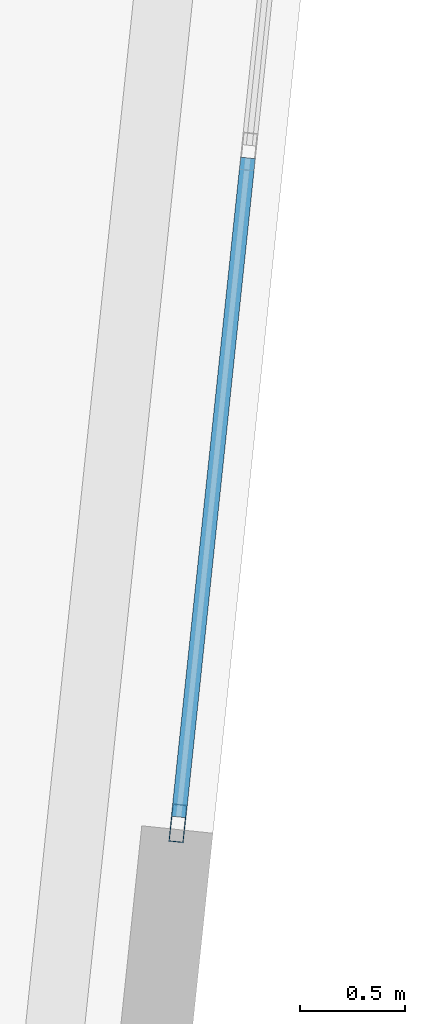
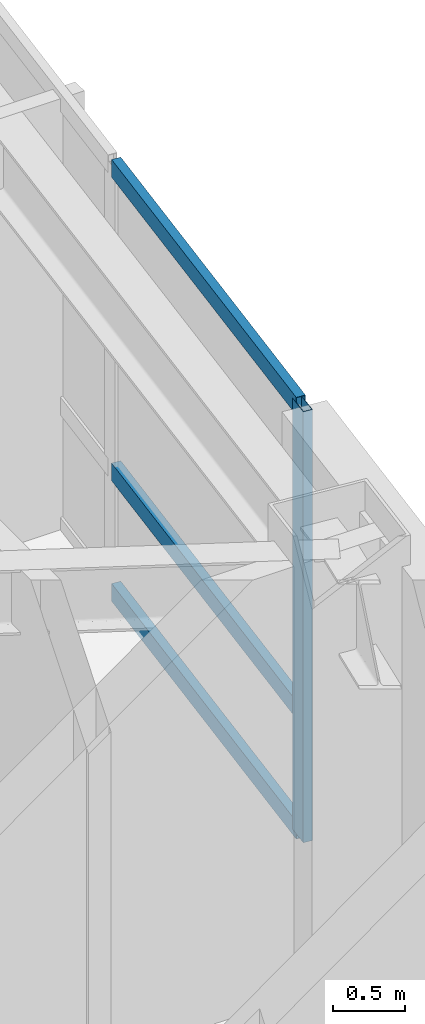
# One storey, part 8 of 23: 4 members, 1 element without a shape of its own.
"""IFC4 building model written with IfcOpenShell, lengths in metres."""

from ifc_helpers import new_model, si_unit, direction, frame, origin, origin_2d, place, context, subcontext, project, spatial, hollow_rectangle, extrude, material, layer, layer_set, material_profile, profile_set, type_object, element, aggregate, save


model = new_model("IFC4")

# Units and contexts
model_context = context("Model", 3, precision=1e-05, world=origin(), true_north=direction((0.0, 1.0)))
body_context = subcontext(model_context, "Body", "Model", "MODEL_VIEW")
ifc_project = project(units=[si_unit("LENGTHUNIT", "METRE"), si_unit("AREAUNIT", "SQUARE_METRE"), si_unit("VOLUMEUNIT", "CUBIC_METRE"), si_unit("PLANEANGLEUNIT", "RADIAN"), si_unit("MASSUNIT", "GRAM", prefix="KILO")], contexts=[model_context])

# Site, building, storey
site_placement = place(None, origin())
site = spatial("IfcSite", under=ifc_project, at=site_placement, CompositionType="ELEMENT")
building_placement = place(site_placement, origin())
building = spatial("IfcBuilding", under=site, at=building_placement, Name="Voryun Gate Residences", CompositionType="ELEMENT")
storey_placement = place(building_placement, frame((0.0, 0.0, 275.60009765625)))
storey = spatial("IfcBuildingStorey", under=building, at=storey_placement, Name="L68", CompositionType="ELEMENT", Elevation=275.60009765625)

# Curtain wall, members
ifc_material_1 = material(Name="Anodised aluminium", Category="aluminium")
ifc_layer = layer(ifc_material_1, 0.18994140625, Name="CW_SYS_RES_B_DARK_GLASS")
ifc_layer_set = layer_set([ifc_layer], Name="Anodised aluminium")
curtain_wall_type = type_object("IfcCurtainWallType", Name="CW_SYS_RES_B_DARK_GLASS", PredefinedType="NOTDEFINED", material=ifc_layer_set)
curtain_wall_placement = place(storey_placement, origin())
curtain_wall = element("IfcCurtainWall", 1, at=curtain_wall_placement, inside=storey, type_object=curtain_wall_type, Name="Curtain wall CWT-L68-16", PredefinedType="NOTDEFINED")
ifc_material_2 = material(Name="Anodised aluminium", Category="aluminium")
ifc_material_profile_1 = material_profile(ifc_material_2, hollow_rectangle(XDim=0.070068359375, YDim=0.179931640625, WallThickness=0.00390625, at=origin_2d()), Name="ALU-MULL-180x70x4")
ifc_profile_set_1 = profile_set([ifc_material_profile_1], Name="Anodised aluminium")
member_type_1 = type_object("IfcMemberType", Name="CW_MULL_RES", PredefinedType="MULLION", material=ifc_profile_set_1)
member_1_placement = place(storey_placement, frame((23.578125, -7.606689453125, 0.0), z_axis=(0.0, 0.0, 1.0), x_axis=(0.994521117907, -0.10453586005, 0.0)))
member_1 = element("IfcMember", 2, at=member_1_placement, type_object=member_type_1, Name="CW4 mullion 4", PredefinedType="MULLION", context=body_context, shape_type="SweptSolid", body=[
    extrude(hollow_rectangle(XDim=0.070068359375, YDim=0.179931640625, WallThickness=0.00390625, at=origin_2d()), origin(), (0.0, 0.0, 1.0), 3.64990234375),
])
ifc_material_3 = material(Name="Anodised aluminium", Category="aluminium")
ifc_material_profile_2 = material_profile(ifc_material_3, hollow_rectangle(XDim=0.070068359375, YDim=0.14990234375, WallThickness=0.00390625, at=origin_2d()), Name="ALU-TRAN-150x70x4")
ifc_profile_set_2 = profile_set([ifc_material_profile_2], Name="Anodised aluminium")
member_type_2 = type_object("IfcMemberType", Name="CW_TRAN_RES", PredefinedType="USERDEFINED", material=ifc_profile_set_2)
member_2_placement = place(storey_placement, frame((23.91064453125, -4.445068359375, 0.02978515625), z_axis=(-0.104583892707, -0.994516067938, 0.0), x_axis=(0.994516067938, -0.104583892707, 0.0)))
member_2 = element("IfcMember", 3, at=member_2_placement, type_object=member_type_2, Name="CW4 transom 3.1", ObjectType="TRANSOM", PredefinedType="USERDEFINED", context=body_context, shape_type="SweptSolid", body=[
    extrude(hollow_rectangle(XDim=0.070068359375, YDim=0.14990234375, WallThickness=0.00390625, at=origin_2d()), origin(), (0.0, 0.0, 1.0), 3.149169921875),
])
member_3_placement = place(storey_placement, frame((23.91064453125, -4.445068359375, 1.0498046875), z_axis=(-0.104583892707, -0.994516067938, 0.0), x_axis=(0.994516067938, -0.104583892707, 0.0)))
member_3 = element("IfcMember", 4, at=member_3_placement, type_object=member_type_2, Name="CW4 transom 3.2", ObjectType="TRANSOM", PredefinedType="USERDEFINED", context=body_context, shape_type="SweptSolid", body=[
    extrude(hollow_rectangle(XDim=0.070068359375, YDim=0.14990234375, WallThickness=0.00390625, at=origin_2d()), origin(), (0.0, 0.0, 1.0), 3.149169921875),
])
member_4_placement = place(storey_placement, frame((23.91064453125, -4.445068359375, 3.619873046875), z_axis=(-0.104583892707, -0.994516067938, 0.0), x_axis=(0.994516067938, -0.104583892707, 0.0)))
member_4 = element("IfcMember", 5, at=member_4_placement, type_object=member_type_2, Name="CW4 transom 3.3", ObjectType="TRANSOM", PredefinedType="USERDEFINED", context=body_context, shape_type="SweptSolid", body=[
    extrude(hollow_rectangle(XDim=0.070068359375, YDim=0.14990234375, WallThickness=0.00390625, at=origin_2d()), origin(), (0.0, 0.0, 1.0), 3.149169921875),
])
aggregate(curtain_wall, [member_1, member_2, member_3, member_4])

save(model, "model.ifc")
